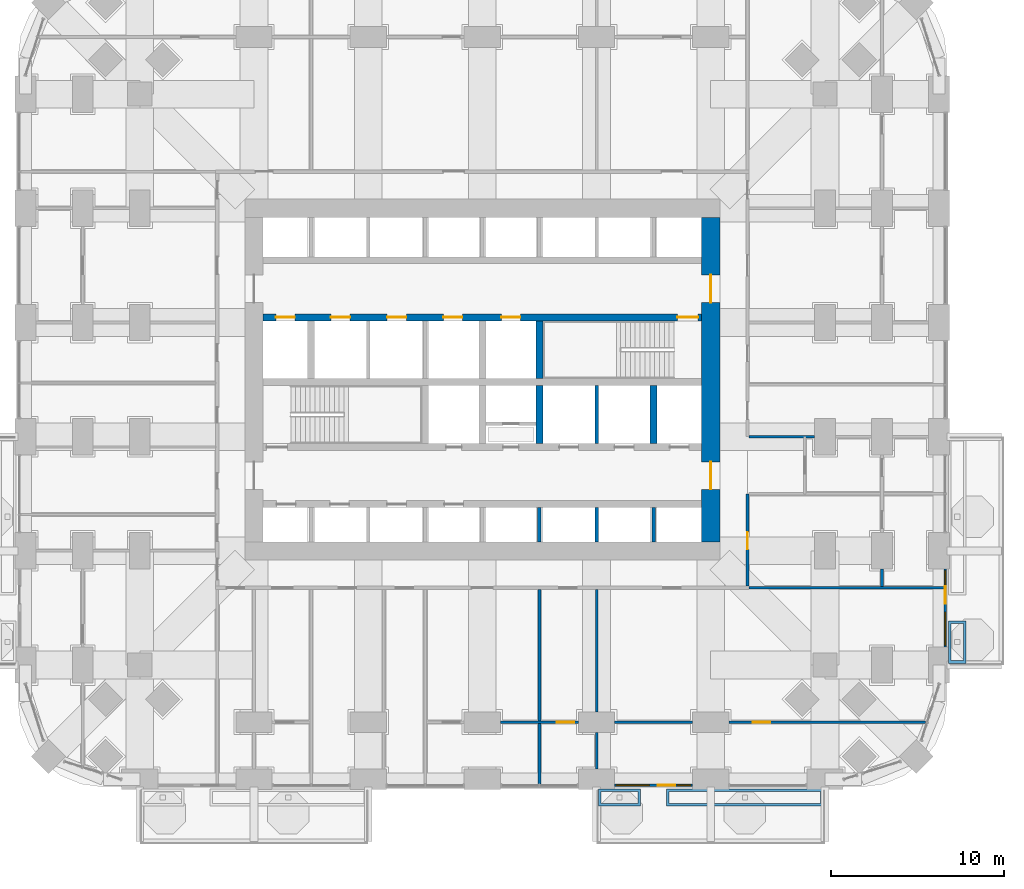
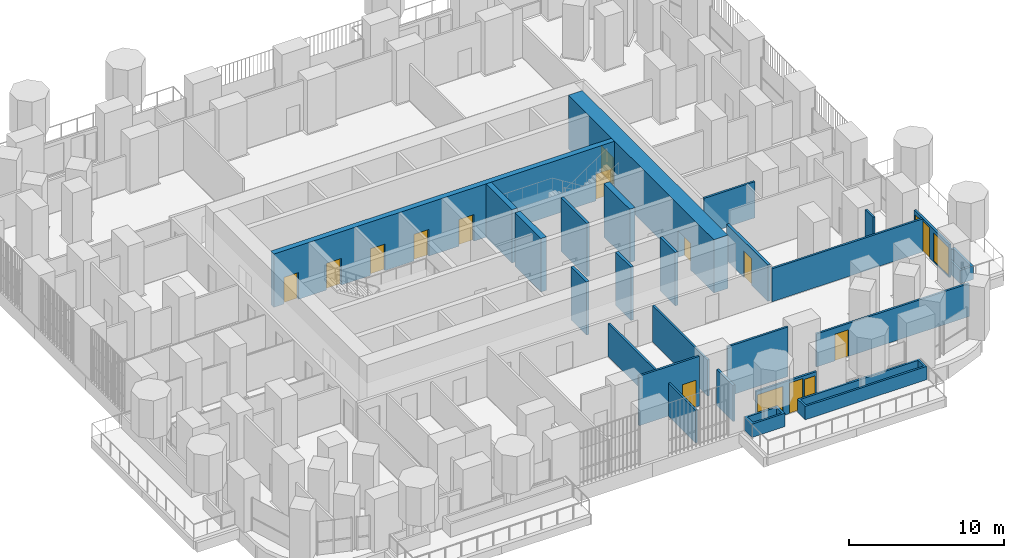
# One storey, part 20 of 27: 24 walls, 13 doors, 4 windows, 17 openings.
"""IFC4 building model written with IfcOpenShell, lengths in metres."""

from ifc_helpers import new_model, si_unit, direction, frame, frame_2d, origin, place, context, subcontext, project, spatial, polyline, rectangle, outline, extrude, material, layer, layer_set, type_object, element, fill, save


model = new_model("IFC4")

# Units and contexts
model_context = context("Model", 3, precision=1e-05, world=origin(), true_north=direction((0.0, 1.0)))
body_context = subcontext(model_context, "Body", "Model", "MODEL_VIEW")
ifc_project = project(units=[si_unit("LENGTHUNIT", "METRE"), si_unit("AREAUNIT", "SQUARE_METRE"), si_unit("VOLUMEUNIT", "CUBIC_METRE"), si_unit("PLANEANGLEUNIT", "RADIAN"), si_unit("MASSUNIT", "GRAM", prefix="KILO")], contexts=[model_context])

# Site, building, storey
site_placement = place(None, origin())
site = spatial("IfcSite", under=ifc_project, at=site_placement, CompositionType="ELEMENT")
building_placement = place(site_placement, origin())
building = spatial("IfcBuilding", under=site, at=building_placement, Name="Cobogo Forest Laboratory Tower", CompositionType="ELEMENT")
storey_placement = place(building_placement, frame((0.0, 0.0, 63.300048828125)))
storey = spatial("IfcBuildingStorey", under=building, at=storey_placement, Name="L14", CompositionType="ELEMENT", Elevation=63.300048828125)

# Wall, openings, doors
ifc_material_1 = material(Name="Concrete HA-50 (C50/60)", Category="concrete")
ifc_layer_1 = layer(ifc_material_1, 0.39990234375)
ifc_layer_set_1 = layer_set([ifc_layer_1], Name="CI400 core inner wall 400")
wall_type_1 = type_object("IfcWallType", Name="CI400 core inner wall 400", PredefinedType="SHEAR", material=ifc_layer_set_1)
wall_1_placement = place(storey_placement, frame((13.72509765625, 26.699951171875, 0.0), z_axis=(0.0, 0.0, 1.0), x_axis=(1.0, 0.0, 0.0)))
wall_1 = element("IfcWall", 1, at=wall_1_placement, inside=storey, type_object=wall_type_1, Name="Core wall CI-26.7 L14", PredefinedType="SHEAR", context=body_context, shape_type="SweptSolid", body=[
    extrude(rectangle(XDim=25.349853515625, YDim=0.39990234375, at=frame_2d((12.6748046875, 0.0))), origin(), (0.0, 0.0, 1.0), 4.199951171875),
])
opening_1_placement = place(wall_1_placement, frame((23.949951171875, 0.0, 0.0)))
opening_1 = element("IfcOpeningElement", 2, at=opening_1_placement, cuts=wall_1, Name="Opening L14-D34", PredefinedType="OPENING", context=body_context, shape_type="SweptSolid", body=[
    extrude(rectangle(XDim=1.199951171875, YDim=2.10009765625, at=frame_2d((0.60009765625, 1.050048828125))), frame((0.0, 0.2099609375, 0.0), z_axis=(0.0, -1.0, 0.0), x_axis=(1.0, 0.0, 0.0)), (0.0, 0.0, 1.0), 0.419921875),
])
opening_2_placement = place(wall_1_placement, frame((0.737548828125, 0.0, 0.0)))
opening_2 = element("IfcOpeningElement", 3, at=opening_2_placement, cuts=wall_1, Name="Opening L14-LD-FL1", PredefinedType="OPENING", context=body_context, shape_type="SweptSolid", body=[
    extrude(rectangle(XDim=1.10009765625, YDim=2.10009765625, at=frame_2d((0.550048828125, 1.050048828125))), frame((0.0, 0.2099609375, 0.0), z_axis=(0.0, -1.0, 0.0), x_axis=(1.0, 0.0, 0.0)), (0.0, 0.0, 1.0), 0.419921875),
])
opening_3_placement = place(wall_1_placement, frame((3.925048828125, 0.0, 0.0)))
opening_3 = element("IfcOpeningElement", 4, at=opening_3_placement, cuts=wall_1, Name="Opening L14-LD-LS3", PredefinedType="OPENING", context=body_context, shape_type="SweptSolid", body=[
    extrude(rectangle(XDim=1.10009765625, YDim=2.10009765625, at=frame_2d((0.550048828125, 1.050048828125))), frame((0.0, 0.2099609375, 0.0), z_axis=(0.0, -1.0, 0.0), x_axis=(1.0, 0.0, 0.0)), (0.0, 0.0, 1.0), 0.419921875),
])
opening_4_placement = place(wall_1_placement, frame((7.175048828125, 0.0, 0.0)))
opening_4 = element("IfcOpeningElement", 5, at=opening_4_placement, cuts=wall_1, Name="Opening L14-LD-LS4", PredefinedType="OPENING", context=body_context, shape_type="SweptSolid", body=[
    extrude(rectangle(XDim=1.10009765625, YDim=2.10009765625, at=frame_2d((0.550048828125, 1.050048828125))), frame((0.0, 0.2099609375, 0.0), z_axis=(0.0, -1.0, 0.0), x_axis=(1.0, 0.0, 0.0)), (0.0, 0.0, 1.0), 0.419921875),
])
opening_5_placement = place(wall_1_placement, frame((10.425048828125, 0.0, 0.0)))
opening_5 = element("IfcOpeningElement", 6, at=opening_5_placement, cuts=wall_1, Name="Opening L14-LD-LS5", PredefinedType="OPENING", context=body_context, shape_type="SweptSolid", body=[
    extrude(rectangle(XDim=1.10009765625, YDim=2.10009765625, at=frame_2d((0.550048828125, 1.050048828125))), frame((0.0, 0.2099609375, 0.0), z_axis=(0.0, -1.0, 0.0), x_axis=(1.0, 0.0, 0.0)), (0.0, 0.0, 1.0), 0.419921875),
])
opening_6_placement = place(wall_1_placement, frame((13.77490234375, 0.0, 0.0)))
opening_6 = element("IfcOpeningElement", 7, at=opening_6_placement, cuts=wall_1, Name="Opening L14-LD-LS6", PredefinedType="OPENING", context=body_context, shape_type="SweptSolid", body=[
    extrude(rectangle(XDim=1.10009765625, YDim=2.10009765625, at=frame_2d((0.550048828125, 1.050048828125))), frame((0.0, 0.2099609375, 0.0), z_axis=(0.0, -1.0, 0.0), x_axis=(1.0, 0.0, 0.0)), (0.0, 0.0, 1.0), 0.419921875),
])
ifc_material_2 = material(Name="Steel fire door", Category="steel")
door_type_1 = type_object("IfcDoorType", Name="DS1 protected stair door 1200 EI2 60", OperationType="SINGLE_SWING_LEFT", PredefinedType="DOOR", material=ifc_material_2)
door_1_placement = place(opening_1_placement, origin())
door_1 = element("IfcDoor", 8, at=door_1_placement, inside=storey, type_object=door_type_1, Name="Door L14-ST2", OperationType="SINGLE_SWING_RIGHT", OverallHeight=2.10009765625, OverallWidth=1.199951171875, PredefinedType="DOOR", context=body_context, shape_type="SweptSolid", body=[
    extrude(rectangle(XDim=1.199951171875, YDim=2.10009765625, at=frame_2d((0.60009765625, 1.050048828125))), frame((0.0, 0.02490234375, 0.0), z_axis=(0.0, -1.0, 0.0), x_axis=(1.0, 0.0, 0.0)), (0.0, 0.0, 1.0), 0.050048828125),
])
fill(opening_1, door_1)
ifc_material_3 = material(Name="Stainless steel lift door", Category="steel")
door_type_2 = type_object("IfcDoorType", Name="LD lift landing door 1100", OperationType="DOUBLE_DOOR_SLIDING", PredefinedType="DOOR", material=ifc_material_3)
door_2_placement = place(opening_2_placement, origin())
door_2 = element("IfcDoor", 9, at=door_2_placement, inside=storey, type_object=door_type_2, Name="Lift landing door FL1 L14", OperationType="DOUBLE_DOOR_SLIDING", OverallHeight=2.10009765625, OverallWidth=1.10009765625, PredefinedType="DOOR", context=body_context, shape_type="SweptSolid", body=[
    extrude(rectangle(XDim=1.10009765625, YDim=2.10009765625, at=frame_2d((0.550048828125, 1.050048828125))), frame((0.0, 0.02490234375, 0.0), z_axis=(0.0, -1.0, 0.0), x_axis=(1.0, 0.0, 0.0)), (0.0, 0.0, 1.0), 0.050048828125),
])
fill(opening_2, door_2)
door_3_placement = place(opening_3_placement, origin())
door_3 = element("IfcDoor", 10, at=door_3_placement, inside=storey, type_object=door_type_2, Name="Lift landing door LS3 L14", OperationType="DOUBLE_DOOR_SLIDING", OverallHeight=2.10009765625, OverallWidth=1.10009765625, PredefinedType="DOOR", context=body_context, shape_type="SweptSolid", body=[
    extrude(rectangle(XDim=1.10009765625, YDim=2.10009765625, at=frame_2d((0.550048828125, 1.050048828125))), frame((0.0, 0.02490234375, 0.0), z_axis=(0.0, -1.0, 0.0), x_axis=(1.0, 0.0, 0.0)), (0.0, 0.0, 1.0), 0.050048828125),
])
fill(opening_3, door_3)
door_4_placement = place(opening_4_placement, origin())
door_4 = element("IfcDoor", 11, at=door_4_placement, inside=storey, type_object=door_type_2, Name="Lift landing door LS4 L14", OperationType="DOUBLE_DOOR_SLIDING", OverallHeight=2.10009765625, OverallWidth=1.10009765625, PredefinedType="DOOR", context=body_context, shape_type="SweptSolid", body=[
    extrude(rectangle(XDim=1.10009765625, YDim=2.10009765625, at=frame_2d((0.550048828125, 1.050048828125))), frame((0.0, 0.02490234375, 0.0), z_axis=(0.0, -1.0, 0.0), x_axis=(1.0, 0.0, 0.0)), (0.0, 0.0, 1.0), 0.050048828125),
])
fill(opening_4, door_4)
door_5_placement = place(opening_5_placement, origin())
door_5 = element("IfcDoor", 12, at=door_5_placement, inside=storey, type_object=door_type_2, Name="Lift landing door LS5 L14", OperationType="DOUBLE_DOOR_SLIDING", OverallHeight=2.10009765625, OverallWidth=1.10009765625, PredefinedType="DOOR", context=body_context, shape_type="SweptSolid", body=[
    extrude(rectangle(XDim=1.10009765625, YDim=2.10009765625, at=frame_2d((0.550048828125, 1.050048828125))), frame((0.0, 0.02490234375, 0.0), z_axis=(0.0, -1.0, 0.0), x_axis=(1.0, 0.0, 0.0)), (0.0, 0.0, 1.0), 0.050048828125),
])
fill(opening_5, door_5)
door_6_placement = place(opening_6_placement, origin())
door_6 = element("IfcDoor", 13, at=door_6_placement, inside=storey, type_object=door_type_2, Name="Lift landing door LS6 L14", OperationType="DOUBLE_DOOR_SLIDING", OverallHeight=2.10009765625, OverallWidth=1.10009765625, PredefinedType="DOOR", context=body_context, shape_type="SweptSolid", body=[
    extrude(rectangle(XDim=1.10009765625, YDim=2.10009765625, at=frame_2d((0.550048828125, 1.050048828125))), frame((0.0, 0.02490234375, 0.0), z_axis=(0.0, -1.0, 0.0), x_axis=(1.0, 0.0, 0.0)), (0.0, 0.0, 1.0), 0.050048828125),
])
fill(opening_6, door_6)

# Walls
for number, where, z_axis, x_axis, name in (
    (14, (29.699951171875, 19.39990234375, 0.0), (0.0, 0.0, 1.0), (0.0, 1.0, 0.0), "Core wall CX-29.7S L14"),
    (15, (36.300048828125, 19.39990234375, 0.0), (0.0, 0.0, 1.0), (0.0, 1.0, 0.0), "Core wall CX-36.3 L14"),
    (16, (29.699951171875, 23.14990234375, 0.0), (0.0, 0.0, 1.0), (0.0, 1.0, 0.0), "Core wall CX-29.7N L14"),
):
    element("IfcWall", number, at=place(storey_placement, frame(where, z_axis=z_axis, x_axis=x_axis)), inside=storey, type_object=wall_type_1, Name=name, PredefinedType="SHEAR", context=body_context, shape_type="SweptSolid", body=[
        extrude(rectangle(XDim=3.35009765625, YDim=0.39990234375, at=frame_2d((1.675048828125, 0.0))), origin(), (0.0, 0.0, 1.0), 4.199951171875),
    ])

# Wall, openings, doors
ifc_layer_2 = layer(ifc_material_1, 1.050048828125)
ifc_layer_set_2 = layer_set([ifc_layer_2], Name="CW1050 core outer wall 1050")
wall_type_2 = type_object("IfcWallType", Name="CW1050 core outer wall 1050", PredefinedType="SHEAR", material=ifc_layer_set_2)
wall_2_placement = place(storey_placement, frame((39.60009765625, 13.72509765625, 0.0), z_axis=(0.0, 0.0, 1.0), x_axis=(0.0, 1.0, 0.0)))
wall_2 = element("IfcWall", 17, at=wall_2_placement, inside=storey, type_object=wall_type_2, Name="Core wall CO-E L14", PredefinedType="SHEAR", context=body_context, shape_type="SweptSolid", body=[
    extrude(rectangle(XDim=18.75, YDim=1.050048828125, at=frame_2d((9.375, 0.0))), origin(), (0.0, 0.0, 1.0), 4.199951171875),
])
opening_7_placement = place(wall_2_placement, frame((3.02490234375, 0.0, 0.0)))
opening_7 = element("IfcOpeningElement", 18, at=opening_7_placement, cuts=wall_2, Name="Opening L14-D23", PredefinedType="OPENING", context=body_context, shape_type="SweptSolid", body=[
    extrude(rectangle(XDim=1.60009765625, YDim=2.10009765625, at=frame_2d((0.800048828125, 1.050048828125))), frame((0.0, 0.534912109375, 0.0), z_axis=(0.0, -1.0, 0.0), x_axis=(1.0, 0.0, 0.0)), (0.0, 0.0, 1.0), 1.070068359375),
])
opening_8_placement = place(wall_2_placement, frame((13.824951171875, 0.0, 0.0)))
opening_8 = element("IfcOpeningElement", 19, at=opening_8_placement, cuts=wall_2, Name="Opening L14-D36", PredefinedType="OPENING", context=body_context, shape_type="SweptSolid", body=[
    extrude(rectangle(XDim=1.60009765625, YDim=2.10009765625, at=frame_2d((0.800048828125, 1.050048828125))), frame((0.0, 0.534912109375, 0.0), z_axis=(0.0, -1.0, 0.0), x_axis=(1.0, 0.0, 0.0)), (0.0, 0.0, 1.0), 1.070068359375),
])
door_type_3 = type_object("IfcDoorType", Name="DS2 protected lobby door pair 1600 EI2 60", OperationType="DOUBLE_DOOR_DOUBLE_SWING", PredefinedType="DOOR", material=ifc_material_2)
door_7_placement = place(opening_7_placement, origin())
door_7 = element("IfcDoor", 20, at=door_7_placement, inside=storey, type_object=door_type_3, Name="Door L14-CO-E-S", OperationType="DOUBLE_DOOR_DOUBLE_SWING", OverallHeight=2.10009765625, OverallWidth=1.60009765625, PredefinedType="DOOR", context=body_context, shape_type="SweptSolid", body=[
    extrude(rectangle(XDim=1.60009765625, YDim=2.10009765625, at=frame_2d((0.800048828125, 1.050048828125))), frame((0.0, 0.02490234375, 0.0), z_axis=(0.0, -1.0, 0.0), x_axis=(1.0, 0.0, 0.0)), (0.0, 0.0, 1.0), 0.050048828125),
])
fill(opening_7, door_7)
door_8_placement = place(opening_8_placement, origin())
door_8 = element("IfcDoor", 21, at=door_8_placement, inside=storey, type_object=door_type_3, Name="Door L14-CO-E-N", OperationType="DOUBLE_DOOR_DOUBLE_SWING", OverallHeight=2.10009765625, OverallWidth=1.60009765625, PredefinedType="DOOR", context=body_context, shape_type="SweptSolid", body=[
    extrude(rectangle(XDim=1.60009765625, YDim=2.10009765625, at=frame_2d((0.800048828125, 1.050048828125))), frame((0.0, 0.02490234375, 0.0), z_axis=(0.0, -1.0, 0.0), x_axis=(1.0, 0.0, 0.0)), (0.0, 0.0, 1.0), 0.050048828125),
])
fill(opening_8, door_8)

# Wall, openings, door, windows
ifc_material_4 = material(Name="Aluminium framed glazed screen", Category="aluminium")
ifc_layer_3 = layer(ifc_material_4, 0.14990234375)
ifc_layer_set_3 = layer_set([ifc_layer_3], Name="GS1 glazed door screen 150")
wall_type_3 = type_object("IfcWallType", Name="GS1 glazed door screen 150", PredefinedType="SOLIDWALL", material=ifc_layer_set_3)
wall_3_placement = place(storey_placement, frame((34.050048828125, -0.35009765625, 0.0), z_axis=(0.0, 0.0, 1.0), x_axis=(1.0, 0.0, 0.0)))
wall_3 = element("IfcWall", 22, at=wall_3_placement, inside=storey, type_object=wall_type_3, Name="Door screen BAL-S2 L14", PredefinedType="SOLIDWALL", context=body_context, shape_type="SweptSolid", body=[
    extrude(rectangle(XDim=4.5, YDim=0.14990234375, at=frame_2d((2.25, 0.0))), origin(), (0.0, 0.0, 1.0), 2.599853515625),
])
opening_9_placement = place(wall_3_placement, frame((2.5, 0.0, 0.0)))
opening_9 = element("IfcOpeningElement", 23, at=opening_9_placement, cuts=wall_3, Name="Opening L14-D02", PredefinedType="OPENING", context=body_context, shape_type="SweptSolid", body=[
    extrude(rectangle(XDim=1.0, YDim=2.39990234375, at=frame_2d((0.5, 1.199951171875))), frame((0.0, 0.0849609375, 0.0), z_axis=(0.0, -1.0, 0.0), x_axis=(1.0, 0.0, 0.0)), (0.0, 0.0, 1.0), 0.169921875),
])
opening_10_placement = place(wall_3_placement, frame((0.10009765625, 0.0, 0.10009765625)))
opening_10 = element("IfcOpeningElement", 24, at=opening_10_placement, cuts=wall_3, Name="Opening L14-W03", PredefinedType="OPENING", context=body_context, shape_type="SweptSolid", body=[
    extrude(rectangle(XDim=1.89990234375, YDim=2.199951171875, at=frame_2d((0.949951171875, 1.10009765625))), frame((0.0, 0.0849609375, 0.0), z_axis=(0.0, -1.0, 0.0), x_axis=(1.0, 0.0, 0.0)), (0.0, 0.0, 1.0), 0.169921875),
])
opening_11_placement = place(wall_3_placement, frame((3.60009765625, 0.0, 0.10009765625)))
opening_11 = element("IfcOpeningElement", 25, at=opening_11_placement, cuts=wall_3, Name="Opening L14-W04", PredefinedType="OPENING", context=body_context, shape_type="SweptSolid", body=[
    extrude(rectangle(XDim=0.800048828125, YDim=2.199951171875, at=frame_2d((0.39990234375, 1.10009765625))), frame((0.0, 0.0849609375, 0.0), z_axis=(0.0, -1.0, 0.0), x_axis=(1.0, 0.0, 0.0)), (0.0, 0.0, 1.0), 0.169921875),
])
ifc_material_5 = material(Name="Aluminium glazed door", Category="aluminium")
door_type_4 = type_object("IfcDoorType", Name="DB1 balcony door 1000 glazed", OperationType="SINGLE_SWING_LEFT", PredefinedType="DOOR", material=ifc_material_5)
door_9_placement = place(opening_9_placement, origin())
door_9 = element("IfcDoor", 26, at=door_9_placement, inside=storey, type_object=door_type_4, Name="Door L14-BAL-S2", OperationType="SINGLE_SWING_RIGHT", OverallHeight=2.39990234375, OverallWidth=1.0, PredefinedType="DOOR", context=body_context, shape_type="SweptSolid", body=[
    extrude(rectangle(XDim=1.0, YDim=2.39990234375, at=frame_2d((0.5, 1.199951171875))), frame((0.0, 0.02490234375, 0.0), z_axis=(0.0, -1.0, 0.0), x_axis=(1.0, 0.0, 0.0)), (0.0, 0.0, 1.0), 0.050048828125),
])
fill(opening_9, door_9)
ifc_material_6 = material(Name="Aluminium framed glazing", Category="aluminium")
window_type_1 = type_object("IfcWindowType", Name="WG5 fixed glazed light 1900x2200", PartitioningType="SINGLE_PANEL", PredefinedType="WINDOW", material=ifc_material_6)
window_1_placement = place(opening_10_placement, origin())
window_1 = element("IfcWindow", 27, at=window_1_placement, inside=storey, type_object=window_type_1, Name="Window L14-BAL-S2-1", OverallHeight=2.199951171875, OverallWidth=1.89990234375, PartitioningType="SINGLE_PANEL", PredefinedType="WINDOW", context=body_context, shape_type="SweptSolid", body=[
    extrude(rectangle(XDim=1.89990234375, YDim=2.199951171875, at=frame_2d((0.949951171875, 1.10009765625))), frame((0.0, 0.030029296875, 0.0), z_axis=(0.0, -1.0, 0.0), x_axis=(1.0, 0.0, 0.0)), (0.0, 0.0, 1.0), 0.06005859375),
])
fill(opening_10, window_1)
window_type_2 = type_object("IfcWindowType", Name="WG6 fixed glazed light 800x2200", PartitioningType="SINGLE_PANEL", PredefinedType="WINDOW", material=ifc_material_6)
window_2_placement = place(opening_11_placement, origin())
window_2 = element("IfcWindow", 28, at=window_2_placement, inside=storey, type_object=window_type_2, Name="Window L14-BAL-S2-2", OverallHeight=2.199951171875, OverallWidth=0.800048828125, PartitioningType="SINGLE_PANEL", PredefinedType="WINDOW", context=body_context, shape_type="SweptSolid", body=[
    extrude(rectangle(XDim=0.800048828125, YDim=2.199951171875, at=frame_2d((0.39990234375, 1.10009765625))), frame((0.0, 0.030029296875, 0.0), z_axis=(0.0, -1.0, 0.0), x_axis=(1.0, 0.0, 0.0)), (0.0, 0.0, 1.0), 0.06005859375),
])
fill(opening_11, window_2)

wall_4_placement = place(storey_placement, frame((53.14990234375, 7.64990234375, 0.0), z_axis=(0.0, 0.0, 1.0), x_axis=(0.0, 1.0, 0.0)))
wall_4 = element("IfcWall", 29, at=wall_4_placement, inside=storey, type_object=wall_type_3, Name="Door screen BAL-E1 L14", PredefinedType="SOLIDWALL", context=body_context, shape_type="SweptSolid", body=[
    extrude(rectangle(XDim=4.5, YDim=0.14990234375, at=frame_2d((2.25, 0.0))), origin(), (0.0, 0.0, 1.0), 2.599853515625),
])
opening_12_placement = place(wall_4_placement, frame((2.5, 0.0, 0.0)))
opening_12 = element("IfcOpeningElement", 30, at=opening_12_placement, cuts=wall_4, Name="Opening L14-D09", PredefinedType="OPENING", context=body_context, shape_type="SweptSolid", body=[
    extrude(rectangle(XDim=1.0, YDim=2.39990234375, at=frame_2d((0.5, 1.199951171875))), frame((0.0, 0.0849609375, 0.0), z_axis=(0.0, -1.0, 0.0), x_axis=(1.0, 0.0, 0.0)), (0.0, 0.0, 1.0), 0.169921875),
])
opening_13_placement = place(wall_4_placement, frame((0.10009765625, 0.0, 0.10009765625)))
opening_13 = element("IfcOpeningElement", 31, at=opening_13_placement, cuts=wall_4, Name="Opening L14-W06", PredefinedType="OPENING", context=body_context, shape_type="SweptSolid", body=[
    extrude(rectangle(XDim=1.89990234375, YDim=2.199951171875, at=frame_2d((0.949951171875, 1.10009765625))), frame((0.0, 0.0849609375, 0.0), z_axis=(0.0, -1.0, 0.0), x_axis=(1.0, 0.0, 0.0)), (0.0, 0.0, 1.0), 0.169921875),
])
opening_14_placement = place(wall_4_placement, frame((3.60009765625, 0.0, 0.10009765625)))
opening_14 = element("IfcOpeningElement", 32, at=opening_14_placement, cuts=wall_4, Name="Opening L14-W08", PredefinedType="OPENING", context=body_context, shape_type="SweptSolid", body=[
    extrude(rectangle(XDim=0.800048828125, YDim=2.199951171875, at=frame_2d((0.39990234375, 1.10009765625))), frame((0.0, 0.0849609375, 0.0), z_axis=(0.0, -1.0, 0.0), x_axis=(1.0, 0.0, 0.0)), (0.0, 0.0, 1.0), 0.169921875),
])
door_10_placement = place(opening_12_placement, origin())
door_10 = element("IfcDoor", 33, at=door_10_placement, inside=storey, type_object=door_type_4, Name="Door L14-BAL-E1", OperationType="SINGLE_SWING_RIGHT", OverallHeight=2.39990234375, OverallWidth=1.0, PredefinedType="DOOR", context=body_context, shape_type="SweptSolid", body=[
    extrude(rectangle(XDim=1.0, YDim=2.39990234375, at=frame_2d((0.5, 1.199951171875))), frame((0.0, 0.02490234375, 0.0), z_axis=(0.0, -1.0, 0.0), x_axis=(1.0, 0.0, 0.0)), (0.0, 0.0, 1.0), 0.050048828125),
])
fill(opening_12, door_10)
window_3_placement = place(opening_13_placement, origin())
window_3 = element("IfcWindow", 34, at=window_3_placement, inside=storey, type_object=window_type_1, Name="Window L14-BAL-E1-1", OverallHeight=2.199951171875, OverallWidth=1.89990234375, PartitioningType="SINGLE_PANEL", PredefinedType="WINDOW", context=body_context, shape_type="SweptSolid", body=[
    extrude(rectangle(XDim=1.89990234375, YDim=2.199951171875, at=frame_2d((0.949951171875, 1.10009765625))), frame((0.0, 0.030029296875, 0.0), z_axis=(0.0, -1.0, 0.0), x_axis=(1.0, 0.0, 0.0)), (0.0, 0.0, 1.0), 0.06005859375),
])
fill(opening_13, window_3)
window_4_placement = place(opening_14_placement, origin())
window_4 = element("IfcWindow", 35, at=window_4_placement, inside=storey, type_object=window_type_2, Name="Window L14-BAL-E1-2", OverallHeight=2.199951171875, OverallWidth=0.800048828125, PartitioningType="SINGLE_PANEL", PredefinedType="WINDOW", context=body_context, shape_type="SweptSolid", body=[
    extrude(rectangle(XDim=0.800048828125, YDim=2.199951171875, at=frame_2d((0.39990234375, 1.10009765625))), frame((0.0, 0.030029296875, 0.0), z_axis=(0.0, -1.0, 0.0), x_axis=(1.0, 0.0, 0.0)), (0.0, 0.0, 1.0), 0.06005859375),
])
fill(opening_14, window_4)

# Wall
ifc_material_7 = material(Name="Gypsum board on steel studs", Category="steel")
ifc_layer_4 = layer(ifc_material_7, 0.14990234375)
ifc_layer_set_4 = layer_set([ifc_layer_4], Name="PT1 laboratory partition 150")
wall_type_4 = type_object("IfcWallType", Name="PT1 laboratory partition 150", PredefinedType="PARTITIONING", material=ifc_layer_set_4)
wall_5_placement = place(storey_placement, frame((53.070068359375, 11.074951171875, 0.0), z_axis=(0.0, 0.0, 1.0), x_axis=(-1.0, 0.0, 0.0)))
element("IfcWall", 36, at=wall_5_placement, inside=storey, type_object=wall_type_4, Name="Partition PW-SE L14", PredefinedType="PARTITIONING", context=body_context, shape_type="SweptSolid", body=[
    extrude(rectangle(XDim=11.2451171875, YDim=0.14990234375, at=frame_2d((5.62255859375, 0.0))), origin(), (0.0, 0.0, 1.0), 2.599853515625),
])

# Wall, opening, door
wall_6_placement = place(storey_placement, frame((27.449951171875, 3.300048828125, 0.0), z_axis=(0.0, 0.0, 1.0), x_axis=(1.0, 0.0, 0.0)))
wall_6 = element("IfcWall", 37, at=wall_6_placement, inside=storey, type_object=wall_type_4, Name="Partition STRIP-S-3 L14", PredefinedType="PARTITIONING", context=body_context, shape_type="SweptSolid", body=[
    extrude(rectangle(XDim=4.5, YDim=0.14990234375, at=frame_2d((2.25, 0.0))), origin(), (0.0, 0.0, 1.0), 3.89990234375),
])
opening_15_placement = place(wall_6_placement, frame((3.25, 0.0, 0.0)))
opening_15 = element("IfcOpeningElement", 38, at=opening_15_placement, cuts=wall_6, Name="Opening L14-D05", PredefinedType="OPENING", context=body_context, shape_type="SweptSolid", body=[
    extrude(rectangle(XDim=1.0, YDim=2.10009765625, at=frame_2d((0.5, 1.050048828125))), frame((0.0, 0.0849609375, 0.0), z_axis=(0.0, -1.0, 0.0), x_axis=(1.0, 0.0, 0.0)), (0.0, 0.0, 1.0), 0.169921875),
])
ifc_material_8 = material(Name="Timber fire door", Category="wood")
door_type_5 = type_object("IfcDoorType", Name="FD2 fire door 1000 EI2 30", OperationType="SINGLE_SWING_LEFT", PredefinedType="DOOR", material=ifc_material_8)
door_11_placement = place(opening_15_placement, origin())
door_11 = element("IfcDoor", 39, at=door_11_placement, inside=storey, type_object=door_type_5, Name="Door L14-S4W", OperationType="SINGLE_SWING_RIGHT", OverallHeight=2.10009765625, OverallWidth=1.0, PredefinedType="DOOR", context=body_context, shape_type="SweptSolid", body=[
    extrude(rectangle(XDim=1.0, YDim=2.10009765625, at=frame_2d((0.5, 1.050048828125))), frame((0.0, 0.02490234375, 0.0), z_axis=(0.0, -1.0, 0.0), x_axis=(1.0, 0.0, 0.0)), (0.0, 0.0, 1.0), 0.050048828125),
])
fill(opening_15, door_11)

# Wall
wall_7_placement = place(storey_placement, frame((34.050048828125, 3.300048828125, 0.0), z_axis=(0.0, 0.0, 1.0), x_axis=(1.0, 0.0, 0.0)))
element("IfcWall", 40, at=wall_7_placement, inside=storey, type_object=wall_type_4, Name="Partition STRIP-S-4 L14", PredefinedType="PARTITIONING", context=body_context, shape_type="SweptSolid", body=[
    extrude(rectangle(XDim=4.5, YDim=0.14990234375, at=frame_2d((2.25, 0.0))), origin(), (0.0, 0.0, 1.0), 3.89990234375),
])

# Wall, opening, door
wall_8_placement = place(storey_placement, frame((40.64990234375, 3.300048828125, 0.0), z_axis=(0.0, 0.0, 1.0), x_axis=(1.0, 0.0, 0.0)))
wall_8 = element("IfcWall", 41, at=wall_8_placement, inside=storey, type_object=wall_type_4, Name="Partition STRIP-S-5 L14", PredefinedType="PARTITIONING", context=body_context, shape_type="SweptSolid", body=[
    extrude(rectangle(XDim=11.3740234375, YDim=0.14990234375, at=frame_2d((5.68701171875, 0.0))), origin(), (0.0, 0.0, 1.0), 2.599853515625),
])
opening_16_placement = place(wall_8_placement, frame((1.39208984375, 0.0, 0.0)))
opening_16 = element("IfcOpeningElement", 42, at=opening_16_placement, cuts=wall_8, Name="Opening L14-D06", PredefinedType="OPENING", context=body_context, shape_type="SweptSolid", body=[
    extrude(rectangle(XDim=1.0, YDim=2.10009765625, at=frame_2d((0.5, 1.050048828125))), frame((0.0, 0.0849609375, 0.0), z_axis=(0.0, -1.0, 0.0), x_axis=(1.0, 0.0, 0.0)), (0.0, 0.0, 1.0), 0.169921875),
])
door_12_placement = place(opening_16_placement, origin())
door_12 = element("IfcDoor", 43, at=door_12_placement, inside=storey, type_object=door_type_5, Name="Door L14-S5W", OperationType="SINGLE_SWING_LEFT", OverallHeight=2.10009765625, OverallWidth=1.0, PredefinedType="DOOR", context=body_context, shape_type="SweptSolid", body=[
    extrude(rectangle(XDim=1.0, YDim=2.10009765625, at=frame_2d((0.5, 1.050048828125))), frame((0.0, 0.02490234375, 0.0), z_axis=(0.0, -1.0, 0.0), x_axis=(1.0, 0.0, 0.0)), (0.0, 0.0, 1.0), 0.050048828125),
])
fill(opening_16, door_12)

# Walls
wall_9_placement = place(storey_placement, frame((29.699951171875, -0.27001953125, 0.0), z_axis=(0.0, 0.0, 1.0), x_axis=(0.0, 1.0, 0.0)))
element("IfcWall", 44, at=wall_9_placement, inside=storey, type_object=wall_type_4, Name="Partition CUT-S29.7-1 L14", PredefinedType="PARTITIONING", context=body_context, shape_type="SweptSolid", body=[
    extrude(rectangle(XDim=11.2451171875, YDim=0.14990234375, at=frame_2d((5.62255859375, 0.0))), origin(), (0.0, 0.0, 1.0), 2.599853515625),
])
wall_10_placement = place(storey_placement, frame((33.0, 0.60009765625, 0.0), z_axis=(0.0, 0.0, 1.0), x_axis=(0.0, 1.0, 0.0)))
element("IfcWall", 45, at=wall_10_placement, inside=storey, type_object=wall_type_4, Name="Partition CUT-S33a-1 L14", PredefinedType="PARTITIONING", context=body_context, shape_type="SweptSolid", body=[
    extrude(rectangle(XDim=2.099853515625, YDim=0.14990234375, at=frame_2d((1.0498046875, 0.0))), origin(), (0.0, 0.0, 1.0), 2.849853515625),
])
wall_11_placement = place(storey_placement, frame((33.0, 3.89990234375, 0.0), z_axis=(0.0, 0.0, 1.0), x_axis=(0.0, 1.0, 0.0)))
element("IfcWall", 46, at=wall_11_placement, inside=storey, type_object=wall_type_4, Name="Partition CUT-S33b-1 L14", PredefinedType="PARTITIONING", context=body_context, shape_type="SweptSolid", body=[
    extrude(rectangle(XDim=7.0751953125, YDim=0.14990234375, at=frame_2d((3.53759765625, 0.0))), origin(), (0.0, 0.0, 1.0), 2.849853515625),
])
wall_12_placement = place(storey_placement, frame((49.5, 11.14990234375, 0.0), z_axis=(0.0, 0.0, 1.0), x_axis=(0.0, 1.0, 0.0)))
element("IfcWall", 47, at=wall_12_placement, inside=storey, type_object=wall_type_4, Name="Partition STRIP-E-1 L14", PredefinedType="PARTITIONING", context=body_context, shape_type="SweptSolid", body=[
    extrude(rectangle(XDim=1.0, YDim=0.14990234375, at=frame_2d((0.5, 0.0))), origin(), (0.0, 0.0, 1.0), 3.89990234375),
])
wall_13_placement = place(storey_placement, frame((45.60009765625, 19.800048828125, 0.0), z_axis=(0.0, 0.0, 1.0), x_axis=(-1.0, 0.0, 0.0)))
element("IfcWall", 48, at=wall_13_placement, inside=storey, type_object=wall_type_4, Name="Partition CUT-E19.8-3 L14", PredefinedType="PARTITIONING", context=body_context, shape_type="SweptSolid", body=[
    extrude(rectangle(XDim=3.775146484375, YDim=0.14990234375, at=frame_2d((1.8876953125, 0.0))), origin(), (0.0, 0.0, 1.0), 2.849853515625),
])

# Wall, opening, door
ifc_layer_5 = layer(ifc_material_7, 0.199951171875)
ifc_layer_set_5 = layer_set([ifc_layer_5], Name="PT2 fire-rated corridor partition 200")
wall_type_5 = type_object("IfcWallType", Name="PT2 fire-rated corridor partition 200", PredefinedType="PARTITIONING", material=ifc_layer_set_5)
wall_14_placement = place(storey_placement, frame((41.72509765625, 11.175048828125, 0.0), z_axis=(0.0, 0.0, 1.0), x_axis=(0.0, 1.0, 0.0)))
wall_14 = element("IfcWall", 49, at=wall_14_placement, inside=storey, type_object=wall_type_5, Name="Partition CORR-E-1 L14", PredefinedType="PARTITIONING", context=body_context, shape_type="SweptSolid", body=[
    extrude(rectangle(XDim=5.324951171875, YDim=0.199951171875, at=frame_2d((2.66259765625, 0.0))), origin(), (0.0, 0.0, 1.0), 2.849853515625),
])
opening_17_placement = place(wall_14_placement, frame((2.112548828125, 0.0, 0.0)))
opening_17 = element("IfcOpeningElement", 50, at=opening_17_placement, cuts=wall_14, Name="Opening L14-D18", PredefinedType="OPENING", context=body_context, shape_type="SweptSolid", body=[
    extrude(rectangle(XDim=1.0, YDim=2.10009765625, at=frame_2d((0.5, 1.050048828125))), frame((0.0, 0.10986328125, 0.0), z_axis=(0.0, -1.0, 0.0), x_axis=(1.0, 0.0, 0.0)), (0.0, 0.0, 1.0), 0.219970703125),
])
door_13_placement = place(opening_17_placement, origin())
door_13 = element("IfcDoor", 51, at=door_13_placement, inside=storey, type_object=door_type_5, Name="Door L14-E1", OperationType="SINGLE_SWING_LEFT", OverallHeight=2.10009765625, OverallWidth=1.0, PredefinedType="DOOR", context=body_context, shape_type="SweptSolid", body=[
    extrude(rectangle(XDim=1.0, YDim=2.10009765625, at=frame_2d((0.5, 1.050048828125))), frame((0.0, 0.02490234375, 0.0), z_axis=(0.0, -1.0, 0.0), x_axis=(1.0, 0.0, 0.0)), (0.0, 0.0, 1.0), 0.050048828125),
])
fill(opening_17, door_13)

# Walls
ifc_material_9 = material(Name="Concrete HA-40 (C40/50)", Category="concrete")
ifc_layer_6 = layer(ifc_material_9, 0.14990234375)
ifc_layer_set_6 = layer_set([ifc_layer_6], Name="Planter box 1000x1050")
wall_type_6 = type_object("IfcWallType", Name="Planter box 1000x1050", PredefinedType="USERDEFINED", material=ifc_layer_set_6)
wall_15_placement = place(storey_placement, origin())
element("IfcWall", 52, at=wall_15_placement, inside=storey, type_object=wall_type_6, Name="Planter BAL-S2-1 L14", ObjectType="PLANTER", PredefinedType="USERDEFINED", context=body_context, shape_type="SweptSolid", body=[
    extrude(outline(polyline([(33.10009765625, -1.550048828125), (35.550048828125, -1.550048828125), (35.550048828125, -0.550048828125), (33.10009765625, -0.550048828125), (33.10009765625, -1.550048828125)]), holes=[polyline([(33.25, -1.39990234375), (35.39990234375, -1.39990234375), (35.39990234375, -0.699951171875), (33.25, -0.699951171875), (33.25, -1.39990234375)])]), origin(), (0.0, 0.0, 1.0), 1.050048828125),
])
wall_16_placement = place(storey_placement, origin())
element("IfcWall", 53, at=wall_16_placement, inside=storey, type_object=wall_type_6, Name="Planter BAL-S2-2 L14", ObjectType="PLANTER", PredefinedType="USERDEFINED", context=body_context, shape_type="SweptSolid", body=[
    extrude(outline(polyline([(37.050048828125, -1.550048828125), (46.10009765625, -1.550048828125), (46.10009765625, -0.550048828125), (37.050048828125, -0.550048828125), (37.050048828125, -1.550048828125)]), holes=[polyline([(37.199951171875, -1.39990234375), (45.949951171875, -1.39990234375), (45.949951171875, -0.699951171875), (37.199951171875, -0.699951171875), (37.199951171875, -1.39990234375)])]), origin(), (0.0, 0.0, 1.0), 1.050048828125),
])
wall_17_placement = place(storey_placement, origin())
element("IfcWall", 54, at=wall_17_placement, inside=storey, type_object=wall_type_6, Name="Planter BAL-E1-1 L14", ObjectType="PLANTER", PredefinedType="USERDEFINED", context=body_context, shape_type="SweptSolid", body=[
    extrude(outline(polyline([(53.35009765625, 6.699951171875), (54.35009765625, 6.699951171875), (54.35009765625, 9.14990234375), (53.35009765625, 9.14990234375), (53.35009765625, 6.699951171875)]), holes=[polyline([(53.5, 6.85009765625), (54.199951171875, 6.85009765625), (54.199951171875, 9.0), (53.5, 9.0), (53.5, 6.85009765625)])]), origin(), (0.0, 0.0, 1.0), 1.050048828125),
])
ifc_material_10 = material(Name="Concrete block", Category="concrete")
ifc_layer_7 = layer(ifc_material_10, 0.199951171875)
ifc_layer_set_7 = layer_set([ifc_layer_7], Name="SW200 lift shaft separator 200")
wall_type_7 = type_object("IfcWallType", Name="SW200 lift shaft separator 200", PredefinedType="PARTITIONING", material=ifc_layer_set_7)
for number, where, z_axis, x_axis, name in (
    (55, (29.699951171875, 13.72509765625, 0.0), (0.0, 0.0, 1.0), (0.0, 1.0, 0.0), "Core wall SEP-S5 L14"),
    (56, (33.0, 13.72509765625, 0.0), (0.0, 0.0, 1.0), (0.0, 1.0, 0.0), "Core wall SEP-S6 L14"),
    (57, (36.300048828125, 13.72509765625, 0.0), (0.0, 0.0, 1.0), (0.0, 1.0, 0.0), "Core wall SEP-S7 L14"),
):
    element("IfcWall", number, at=place(storey_placement, frame(where, z_axis=z_axis, x_axis=x_axis)), inside=storey, type_object=wall_type_7, Name=name, PredefinedType="PARTITIONING", context=body_context, shape_type="SweptSolid", body=[
        extrude(rectangle(XDim=1.974853515625, YDim=0.199951171875, at=frame_2d((0.9873046875, 0.0))), origin(), (0.0, 0.0, 1.0), 4.199951171875),
    ])
wall_18_placement = place(storey_placement, frame((33.0, 19.39990234375, 0.0), z_axis=(0.0, 0.0, 1.0), x_axis=(0.0, 1.0, 0.0)))
element("IfcWall", 58, at=wall_18_placement, inside=storey, type_object=wall_type_7, Name="Core wall SEP-M33.0 L14", PredefinedType="PARTITIONING", context=body_context, shape_type="SweptSolid", body=[
    extrude(rectangle(XDim=3.35009765625, YDim=0.199951171875, at=frame_2d((1.675048828125, 0.0))), origin(), (0.0, 0.0, 1.0), 4.199951171875),
])

save(model, "model.ifc")
